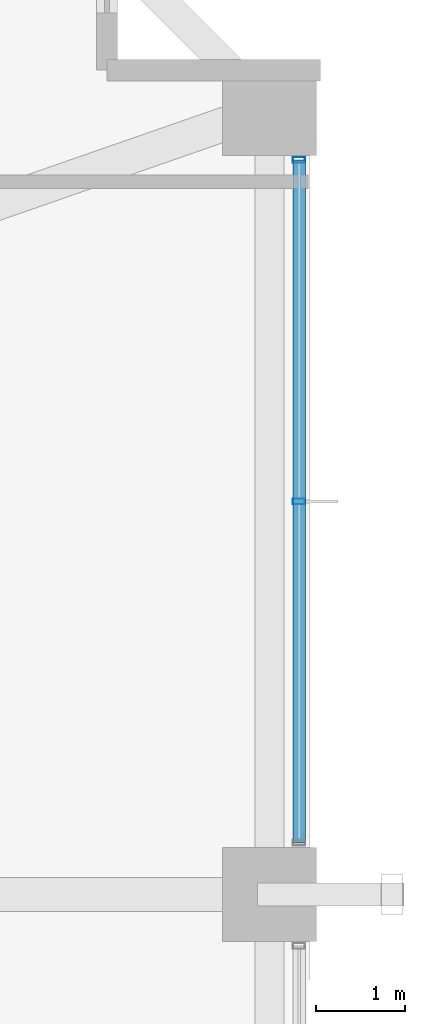
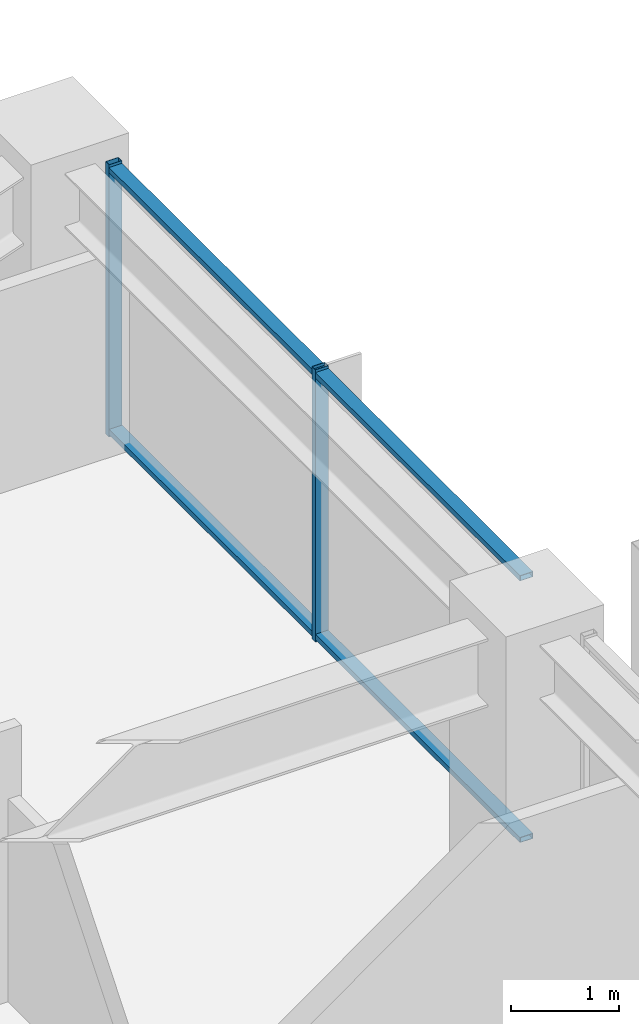
# One storey, part 25 of 38: 4 members, 1 element without a shape of its own.
"""IFC4 building model written with IfcOpenShell, lengths in metres."""

import ifcopenshell
import ifcopenshell.guid

model = None  # the IFC model being written
_history = None  # IfcOwnerHistory: only IFC2X3 demands one
_inside = {}  # id of a spatial element -> (the spatial element, [elements in it])
_under = {}  # id of a project, library or spatial element -> (it, [spatial elements below it])
_declared = {}  # id of a project -> (the project, [libraries it declares])
_typed = {}  # id of a type object -> (the type object, [elements of that type])
_made_of = {}  # id of a material, layer set ... -> (it, [elements and type objects made of it])


def new_model(schema):
    """Start an empty IFC model of exactly this schema.

    Asked for "IFC4X3", IfcOpenShell would pick the latest addendum, in which some entities
    have other attributes; the version numbers below select the first issue.
    IFC2X3 requires an IfcOwnerHistory on every rooted entity: one is made here for all.
    """
    global model, _history
    if schema == "IFC4X3":
        model = ifcopenshell.file(schema_version=(4, 3, 0, 0))
    else:
        model = ifcopenshell.file(schema=schema)
    _inside.clear()
    _under.clear()
    _declared.clear()
    _typed.clear()
    _made_of.clear()
    _history = None
    if model.schema == "IFC2X3":
        org = make("IfcOrganization", Name="unknown")
        user = make(
            "IfcPersonAndOrganization",
            ThePerson=make("IfcPerson", FamilyName="unknown"),
            TheOrganization=org,
        )
        app = make(
            "IfcApplication",
            ApplicationDeveloper=org,
            Version="unknown",
            ApplicationFullName="unknown",
            ApplicationIdentifier="unknown",
        )
        _history = make(
            "IfcOwnerHistory",
            OwningUser=user,
            OwningApplication=app,
            ChangeAction="ADDED",
            CreationDate=0,
        )
    return model


def make(cls, **values):
    """One entity of the class cls with the attributes given. An attribute that is None is left unset."""
    return model.create_entity(
        cls, **{name: value for name, value in values.items() if value is not None}
    )


def rooted(cls, **values):
    """An entity with a GlobalId (a new one), such as an element, a storey or a relation."""
    return make(cls, GlobalId=ifcopenshell.guid.new(), OwnerHistory=_history, **values)


def si_unit(unit_type, name, prefix=None):
    """IfcSIUnit, for example si_unit("LENGTHUNIT", "METRE", prefix="MILLI")."""
    return make("IfcSIUnit", UnitType=unit_type, Prefix=prefix, Name=name)


def assignment(units):
    """IfcUnitAssignment: the units of a project."""
    return None if units is None else make("IfcUnitAssignment", Units=units)


def point(xyz):
    """IfcCartesianPoint."""
    return None if xyz is None else make("IfcCartesianPoint", Coordinates=xyz)


def direction(xyz):
    """IfcDirection."""
    return None if xyz is None else make("IfcDirection", DirectionRatios=xyz)


def frame(location, z_axis=None, x_axis=None):
    """IfcAxis2Placement3D, a coordinate frame: its origin and axes. An axis left out is left unset."""
    return make(
        "IfcAxis2Placement3D",
        Location=point(location),
        Axis=direction(z_axis),
        RefDirection=direction(x_axis),
    )


def frame_2d(location, x_axis=None):
    """IfcAxis2Placement2D, a coordinate frame in the plane: its origin and x axis."""
    return make(
        "IfcAxis2Placement2D", Location=point(location), RefDirection=direction(x_axis)
    )


def origin():
    """The frame at (0, 0, 0) with its axes left unset."""
    return frame((0.0, 0.0, 0.0))


def origin_2d():
    """The frame at (0, 0) in the plane with its x axis left unset."""
    return frame_2d((0.0, 0.0))


def place(relative_to, where):
    """IfcLocalPlacement: puts the frame where relative to a parent placement (None: the world)."""
    return make(
        "IfcLocalPlacement", PlacementRelTo=relative_to, RelativePlacement=where
    )


def context(
    kind, dimensions, precision=None, world=None, true_north=None, identifier=None
):
    """IfcGeometricRepresentationContext, for example the 3D "Model" context."""
    return make(
        "IfcGeometricRepresentationContext",
        ContextIdentifier=identifier,
        ContextType=kind,
        CoordinateSpaceDimension=dimensions,
        Precision=precision,
        WorldCoordinateSystem=world,
        TrueNorth=true_north,
    )


def subcontext(parent, identifier, kind, view, scale=None):
    """IfcGeometricRepresentationSubContext, for example "Body" below "Model"."""
    return make(
        "IfcGeometricRepresentationSubContext",
        ContextIdentifier=identifier,
        ContextType=kind,
        ParentContext=parent,
        TargetScale=scale,
        TargetView=view,
    )


def project(units=None, contexts=None):
    """IfcProject with its units and contexts."""
    return rooted(
        "IfcProject",
        Name="project",
        RepresentationContexts=contexts,
        UnitsInContext=assignment(units),
    )


def spatial(cls, under=None, at=None, **own):
    """A site, building, storey or space (cls), placed at a placement, below another one or the project."""
    s = rooted(cls, ObjectPlacement=at, **own)
    if under is not None:
        _under.setdefault(under.id(), (under, []))[1].append(s)
    return s


def profile(cls, at=None, kind="AREA", **sizes):
    """A parametric profile (cls). Its sizes go by their IFC names, for example OverallWidth=200.0."""
    return make(cls, ProfileType=kind, Position=at, **sizes)


def hollow_rectangle(**sizes):
    """IfcRectangleHollowProfileDef."""
    return profile("IfcRectangleHollowProfileDef", **sizes)


def extrude(swept, where, along, depth):
    """IfcExtrudedAreaSolid: the profile swept, set in the frame where, extruded along a direction by depth."""
    return make(
        "IfcExtrudedAreaSolid",
        SweptArea=swept,
        Position=where,
        ExtrudedDirection=direction(along),
        Depth=depth,
    )


def shape(context_of_items, identifier, shape_type, items):
    """IfcShapeRepresentation: the items that make up one representation, for example the "Body"."""
    return make(
        "IfcShapeRepresentation",
        ContextOfItems=context_of_items,
        RepresentationIdentifier=identifier,
        RepresentationType=shape_type,
        Items=items,
    )


def material(Name=None, Category=None):
    """IfcMaterial."""
    return make("IfcMaterial", Name=Name, Category=Category)


def material_profile(
    of_material, cross_section, Name=None, Category=None, Priority=None
):
    """IfcMaterialProfile: a cross section and its material."""
    return make(
        "IfcMaterialProfile",
        Name=Name,
        Material=of_material,
        Profile=cross_section,
        Priority=Priority,
        Category=Category,
    )


def profile_set(profiles, Name=None, composite=None):
    """IfcMaterialProfileSet."""
    return make(
        "IfcMaterialProfileSet",
        Name=Name,
        MaterialProfiles=profiles,
        CompositeProfile=composite,
    )


def made_of(thing, what):
    """Note that an element or type object is made of a material, layer set ...; save() writes the relation."""
    if what is not None:
        _made_of.setdefault(what.id(), (what, []))[1].append(thing)
    return thing


def type_object(cls, material=None, **own):
    """A type object (cls), such as IfcWallType, which elements share."""
    return made_of(rooted(cls, **own), material)


def element(
    cls,
    number,
    at=None,
    inside=None,
    cuts=None,
    type_object=None,
    material=None,
    context=None,
    identifier="Body",
    shape_type=None,
    held_by="IfcProductDefinitionShape",
    body=None,
    shapes=None,
    **own,
):
    """One element of the class cls, such as IfcWall. Its Tag is "e" and its number.

    at: its placement. inside: the storey or other place that contains it. cuts: it is an
    opening in that element (IfcRelVoidsElement). A single representation is given by context,
    identifier, shape_type and body (its items); several are given by shapes. held_by: the class
    of the entity that holds the representations. save() writes the other relations.
    """
    e = rooted(cls, Tag="e%d" % number, ObjectPlacement=at, **own)
    if body is not None:
        shapes = [shape(context, identifier, shape_type, body)]
    if shapes is not None:
        e.Representation = make(held_by, Representations=shapes)
    if inside is not None:
        _inside.setdefault(inside.id(), (inside, []))[1].append(e)
    if cuts is not None:
        rooted(
            "IfcRelVoidsElement", RelatingBuildingElement=cuts, RelatedOpeningElement=e
        )
    if type_object is not None:
        _typed.setdefault(type_object.id(), (type_object, []))[1].append(e)
    return made_of(e, material)


def aggregate(whole, parts):
    """IfcRelAggregates: a whole, such as a stair, and the parts it consists of."""
    return rooted("IfcRelAggregates", RelatingObject=whole, RelatedObjects=parts)


def save(model, path):
    """Write the relations noted so far, then the file.

    IfcRelAggregates (storeys below a building ...), IfcRelContainedInSpatialStructure (elements
    in a storey), IfcRelDefinesByType, IfcRelAssociatesMaterial and IfcRelDeclares: one each for
    every whole, place, type object, material and project.
    """
    for whole, parts in _under.values():
        aggregate(whole, parts)
    for where, things in _inside.values():
        rooted(
            "IfcRelContainedInSpatialStructure",
            RelatedElements=things,
            RelatingStructure=where,
        )
    for kind, things in _typed.values():
        rooted("IfcRelDefinesByType", RelatedObjects=things, RelatingType=kind)
    for what, things in _made_of.values():
        rooted("IfcRelAssociatesMaterial", RelatedObjects=things, RelatingMaterial=what)
    for by, libraries in _declared.values():
        rooted("IfcRelDeclares", RelatingContext=by, RelatedDefinitions=libraries)
    model.write(path)


model = new_model("IFC4")

# Units and contexts
model_context = context("Model", 3, precision=1e-05, world=origin(), true_north=direction((0.0, 1.0)))
body_context = subcontext(model_context, "Body", "Model", "MODEL_VIEW")
ifc_project = project(units=[si_unit("LENGTHUNIT", "METRE"), si_unit("AREAUNIT", "SQUARE_METRE"), si_unit("VOLUMEUNIT", "CUBIC_METRE"), si_unit("PLANEANGLEUNIT", "RADIAN"), si_unit("MASSUNIT", "GRAM", prefix="KILO")], contexts=[model_context])

# Site, building, storey
site_placement = place(None, origin())
site = spatial("IfcSite", under=ifc_project, at=site_placement, CompositionType="ELEMENT")
building_placement = place(site_placement, origin())
building = spatial("IfcBuilding", under=site, at=building_placement, Name="Kolvaren Belvedere", CompositionType="ELEMENT")
storey_placement = place(building_placement, frame((0.0, 0.0, 78.800048828125)))
storey = spatial("IfcBuildingStorey", under=building, at=storey_placement, Name="L22", CompositionType="ELEMENT", Elevation=78.800048828125)

# Curtain wall, members
ifc_material_1 = material(Name="Anodised pale-metal aluminium AA 6063-T6", Category="aluminium")
curtain_wall_type = type_object("IfcCurtainWallType", Name="CW-Z2-MID", PredefinedType="NOTDEFINED", material=ifc_material_1)
curtain_wall_placement = place(storey_placement, origin())
curtain_wall = element("IfcCurtainWall", 1, at=curtain_wall_placement, inside=storey, type_object=curtain_wall_type, Name="L22 Unitised Curtain Wall FCW-L22-E-B1", PredefinedType="NOTDEFINED")
ifc_material_2 = material(Name="Anodised pale-metal aluminium AA 6063-T6", Category="aluminium")
ifc_material_profile_1 = material_profile(ifc_material_2, hollow_rectangle(XDim=0.06494140625, YDim=0.139892578125, WallThickness=0.00390625, at=origin_2d()), Name="ALU-MUL-140X65")
ifc_profile_set_1 = profile_set([ifc_material_profile_1], Name="Anodised pale-metal aluminium AA 6063-T6")
member_type_1 = type_object("IfcMemberType", Name="CW-MUL-140", PredefinedType="MULLION", material=ifc_profile_set_1)
member_1_placement = place(storey_placement, frame((20.280029296875, 12.822509765625, 0.0), z_axis=(0.0, 0.0, 1.0), x_axis=(0.0, 1.0, 0.0)))
member_1 = element("IfcMember", 2, at=member_1_placement, type_object=member_type_1, Name="FCW-L22-E-B1 Unitised Mullion 1", PredefinedType="MULLION", context=body_context, shape_type="SweptSolid", body=[
    extrude(hollow_rectangle(XDim=0.06494140625, YDim=0.139892578125, WallThickness=0.00390625, at=origin_2d()), origin(), (0.0, 0.0, 1.0), 3.079833984375),
])
member_2_placement = place(storey_placement, frame((20.280029296875, 9.0, 0.0), z_axis=(0.0, 0.0, 1.0), x_axis=(0.0, 1.0, 0.0)))
member_2 = element("IfcMember", 3, at=member_2_placement, type_object=member_type_1, Name="FCW-L22-E-B1 Unitised Mullion 2", PredefinedType="MULLION", context=body_context, shape_type="SweptSolid", body=[
    extrude(hollow_rectangle(XDim=0.06494140625, YDim=0.139892578125, WallThickness=0.00390625, at=origin_2d()), origin(), (0.0, 0.0, 1.0), 3.079833984375),
])
ifc_material_3 = material(Name="Anodised pale-metal aluminium AA 6063-T6", Category="aluminium")
ifc_material_profile_2 = material_profile(ifc_material_3, hollow_rectangle(XDim=0.06005859375, YDim=0.139892578125, WallThickness=0.00390625, at=origin_2d()), Name="ALU-TRN-140X60")
ifc_profile_set_2 = profile_set([ifc_material_profile_2], Name="Anodised pale-metal aluminium AA 6063-T6")
member_type_2 = type_object("IfcMemberType", Name="CW-TRN-140", PredefinedType="USERDEFINED", material=ifc_profile_set_2)
member_3_placement = place(storey_placement, frame((20.280029296875, 12.822509765625, 0.06005859375), z_axis=(0.0, -1.0, 0.0), x_axis=(0.0, 0.0, 1.0)))
member_3 = element("IfcMember", 4, at=member_3_placement, type_object=member_type_2, Name="FCW-L22-E-B1 Sill Transom", ObjectType="TRANSOM", PredefinedType="USERDEFINED", context=body_context, shape_type="SweptSolid", body=[
    extrude(hollow_rectangle(XDim=0.06005859375, YDim=0.139892578125, WallThickness=0.00390625, at=origin_2d()), origin(), (0.0, 0.0, 1.0), 7.64501953125),
])
member_4_placement = place(storey_placement, frame((20.280029296875, 12.822509765625, 3.02001953125), z_axis=(0.0, -1.0, 0.0), x_axis=(0.0, 0.0, 1.0)))
member_4 = element("IfcMember", 5, at=member_4_placement, type_object=member_type_2, Name="FCW-L22-E-B1 Head Transom", ObjectType="TRANSOM", PredefinedType="USERDEFINED", context=body_context, shape_type="SweptSolid", body=[
    extrude(hollow_rectangle(XDim=0.06005859375, YDim=0.139892578125, WallThickness=0.00390625, at=origin_2d()), origin(), (0.0, 0.0, 1.0), 7.64501953125),
])
aggregate(curtain_wall, [member_1, member_2, member_3, member_4])

save(model, "model.ifc")
